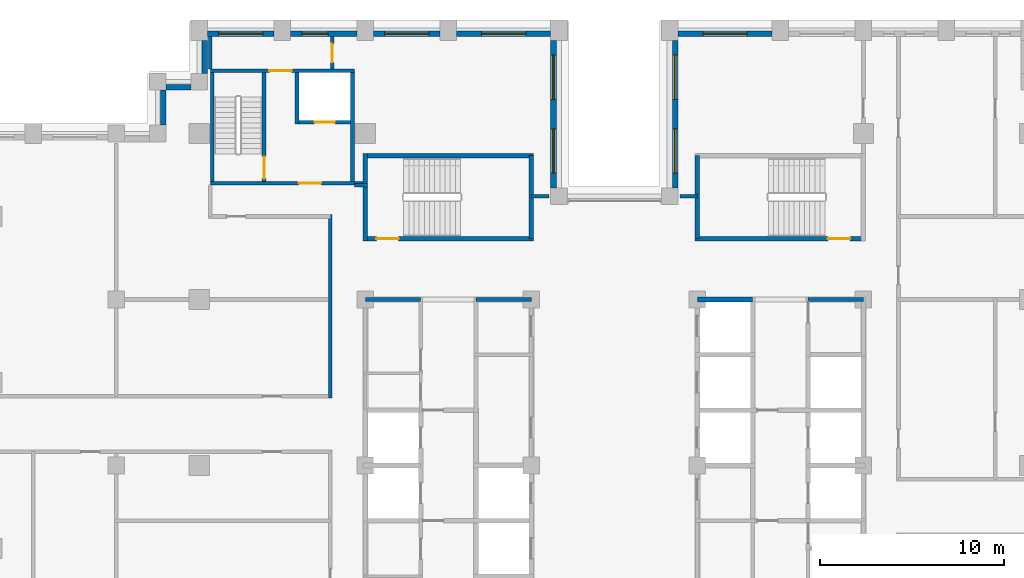
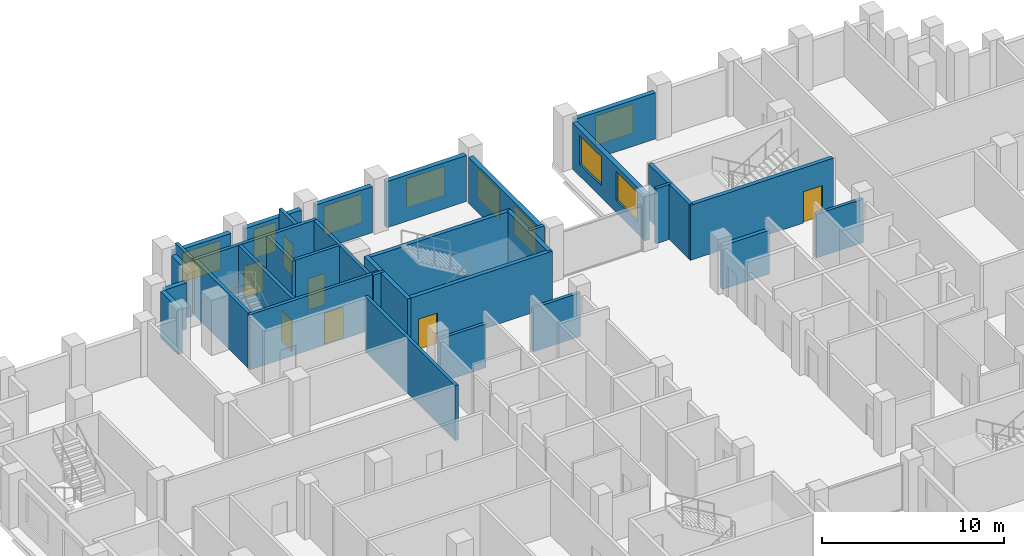
# One storey, part 10 of 15: 33 walls, 9 windows, 7 doors, 16 openings.
"""IFC4 building model written with IfcOpenShell, lengths in metres."""

import ifcopenshell
import ifcopenshell.guid

model = None  # the IFC model being written
_history = None  # IfcOwnerHistory: only IFC2X3 demands one
_inside = {}  # id of a spatial element -> (the spatial element, [elements in it])
_under = {}  # id of a project, library or spatial element -> (it, [spatial elements below it])
_declared = {}  # id of a project -> (the project, [libraries it declares])
_typed = {}  # id of a type object -> (the type object, [elements of that type])
_made_of = {}  # id of a material, layer set ... -> (it, [elements and type objects made of it])


def new_model(schema):
    """Start an empty IFC model of exactly this schema.

    Asked for "IFC4X3", IfcOpenShell would pick the latest addendum, in which some entities
    have other attributes; the version numbers below select the first issue.
    IFC2X3 requires an IfcOwnerHistory on every rooted entity: one is made here for all.
    """
    global model, _history
    if schema == "IFC4X3":
        model = ifcopenshell.file(schema_version=(4, 3, 0, 0))
    else:
        model = ifcopenshell.file(schema=schema)
    _inside.clear()
    _under.clear()
    _declared.clear()
    _typed.clear()
    _made_of.clear()
    _history = None
    if model.schema == "IFC2X3":
        org = make("IfcOrganization", Name="unknown")
        user = make(
            "IfcPersonAndOrganization",
            ThePerson=make("IfcPerson", FamilyName="unknown"),
            TheOrganization=org,
        )
        app = make(
            "IfcApplication",
            ApplicationDeveloper=org,
            Version="unknown",
            ApplicationFullName="unknown",
            ApplicationIdentifier="unknown",
        )
        _history = make(
            "IfcOwnerHistory",
            OwningUser=user,
            OwningApplication=app,
            ChangeAction="ADDED",
            CreationDate=0,
        )
    return model


def make(cls, **values):
    """One entity of the class cls with the attributes given. An attribute that is None is left unset."""
    return model.create_entity(
        cls, **{name: value for name, value in values.items() if value is not None}
    )


def rooted(cls, **values):
    """An entity with a GlobalId (a new one), such as an element, a storey or a relation."""
    return make(cls, GlobalId=ifcopenshell.guid.new(), OwnerHistory=_history, **values)


def si_unit(unit_type, name, prefix=None):
    """IfcSIUnit, for example si_unit("LENGTHUNIT", "METRE", prefix="MILLI")."""
    return make("IfcSIUnit", UnitType=unit_type, Prefix=prefix, Name=name)


def assignment(units):
    """IfcUnitAssignment: the units of a project."""
    return None if units is None else make("IfcUnitAssignment", Units=units)


def point(xyz):
    """IfcCartesianPoint."""
    return None if xyz is None else make("IfcCartesianPoint", Coordinates=xyz)


def direction(xyz):
    """IfcDirection."""
    return None if xyz is None else make("IfcDirection", DirectionRatios=xyz)


def frame(location, z_axis=None, x_axis=None):
    """IfcAxis2Placement3D, a coordinate frame: its origin and axes. An axis left out is left unset."""
    return make(
        "IfcAxis2Placement3D",
        Location=point(location),
        Axis=direction(z_axis),
        RefDirection=direction(x_axis),
    )


def frame_2d(location, x_axis=None):
    """IfcAxis2Placement2D, a coordinate frame in the plane: its origin and x axis."""
    return make(
        "IfcAxis2Placement2D", Location=point(location), RefDirection=direction(x_axis)
    )


def origin():
    """The frame at (0, 0, 0) with its axes left unset."""
    return frame((0.0, 0.0, 0.0))


def place(relative_to, where):
    """IfcLocalPlacement: puts the frame where relative to a parent placement (None: the world)."""
    return make(
        "IfcLocalPlacement", PlacementRelTo=relative_to, RelativePlacement=where
    )


def context(
    kind, dimensions, precision=None, world=None, true_north=None, identifier=None
):
    """IfcGeometricRepresentationContext, for example the 3D "Model" context."""
    return make(
        "IfcGeometricRepresentationContext",
        ContextIdentifier=identifier,
        ContextType=kind,
        CoordinateSpaceDimension=dimensions,
        Precision=precision,
        WorldCoordinateSystem=world,
        TrueNorth=true_north,
    )


def subcontext(parent, identifier, kind, view, scale=None):
    """IfcGeometricRepresentationSubContext, for example "Body" below "Model"."""
    return make(
        "IfcGeometricRepresentationSubContext",
        ContextIdentifier=identifier,
        ContextType=kind,
        ParentContext=parent,
        TargetScale=scale,
        TargetView=view,
    )


def project(units=None, contexts=None):
    """IfcProject with its units and contexts."""
    return rooted(
        "IfcProject",
        Name="project",
        RepresentationContexts=contexts,
        UnitsInContext=assignment(units),
    )


def spatial(cls, under=None, at=None, **own):
    """A site, building, storey or space (cls), placed at a placement, below another one or the project."""
    s = rooted(cls, ObjectPlacement=at, **own)
    if under is not None:
        _under.setdefault(under.id(), (under, []))[1].append(s)
    return s


def profile(cls, at=None, kind="AREA", **sizes):
    """A parametric profile (cls). Its sizes go by their IFC names, for example OverallWidth=200.0."""
    return make(cls, ProfileType=kind, Position=at, **sizes)


def rectangle(**sizes):
    """IfcRectangleProfileDef."""
    return profile("IfcRectangleProfileDef", **sizes)


def extrude(swept, where, along, depth):
    """IfcExtrudedAreaSolid: the profile swept, set in the frame where, extruded along a direction by depth."""
    return make(
        "IfcExtrudedAreaSolid",
        SweptArea=swept,
        Position=where,
        ExtrudedDirection=direction(along),
        Depth=depth,
    )


def shape(context_of_items, identifier, shape_type, items):
    """IfcShapeRepresentation: the items that make up one representation, for example the "Body"."""
    return make(
        "IfcShapeRepresentation",
        ContextOfItems=context_of_items,
        RepresentationIdentifier=identifier,
        RepresentationType=shape_type,
        Items=items,
    )


def material(Name=None, Category=None):
    """IfcMaterial."""
    return make("IfcMaterial", Name=Name, Category=Category)


def layer(
    of_material, thickness, ventilated=None, Name=None, Category=None, Priority=None
):
    """IfcMaterialLayer: one layer of a wall or slab, of a material (None: an air gap)."""
    return make(
        "IfcMaterialLayer",
        Material=of_material,
        LayerThickness=thickness,
        IsVentilated=ventilated,
        Name=Name,
        Category=Category,
        Priority=Priority,
    )


def layer_set(layers, Name=None):
    """IfcMaterialLayerSet."""
    return make("IfcMaterialLayerSet", MaterialLayers=layers, LayerSetName=Name)


def made_of(thing, what):
    """Note that an element or type object is made of a material, layer set ...; save() writes the relation."""
    if what is not None:
        _made_of.setdefault(what.id(), (what, []))[1].append(thing)
    return thing


def type_object(cls, material=None, **own):
    """A type object (cls), such as IfcWallType, which elements share."""
    return made_of(rooted(cls, **own), material)


def element(
    cls,
    number,
    at=None,
    inside=None,
    cuts=None,
    type_object=None,
    material=None,
    context=None,
    identifier="Body",
    shape_type=None,
    held_by="IfcProductDefinitionShape",
    body=None,
    shapes=None,
    **own,
):
    """One element of the class cls, such as IfcWall. Its Tag is "e" and its number.

    at: its placement. inside: the storey or other place that contains it. cuts: it is an
    opening in that element (IfcRelVoidsElement). A single representation is given by context,
    identifier, shape_type and body (its items); several are given by shapes. held_by: the class
    of the entity that holds the representations. save() writes the other relations.
    """
    e = rooted(cls, Tag="e%d" % number, ObjectPlacement=at, **own)
    if body is not None:
        shapes = [shape(context, identifier, shape_type, body)]
    if shapes is not None:
        e.Representation = make(held_by, Representations=shapes)
    if inside is not None:
        _inside.setdefault(inside.id(), (inside, []))[1].append(e)
    if cuts is not None:
        rooted(
            "IfcRelVoidsElement", RelatingBuildingElement=cuts, RelatedOpeningElement=e
        )
    if type_object is not None:
        _typed.setdefault(type_object.id(), (type_object, []))[1].append(e)
    return made_of(e, material)


def fill(opening, filler):
    """IfcRelFillsElement: the door or window that sits in an opening."""
    return rooted(
        "IfcRelFillsElement",
        RelatingOpeningElement=opening,
        RelatedBuildingElement=filler,
    )


def aggregate(whole, parts):
    """IfcRelAggregates: a whole, such as a stair, and the parts it consists of."""
    return rooted("IfcRelAggregates", RelatingObject=whole, RelatedObjects=parts)


def save(model, path):
    """Write the relations noted so far, then the file.

    IfcRelAggregates (storeys below a building ...), IfcRelContainedInSpatialStructure (elements
    in a storey), IfcRelDefinesByType, IfcRelAssociatesMaterial and IfcRelDeclares: one each for
    every whole, place, type object, material and project.
    """
    for whole, parts in _under.values():
        aggregate(whole, parts)
    for where, things in _inside.values():
        rooted(
            "IfcRelContainedInSpatialStructure",
            RelatedElements=things,
            RelatingStructure=where,
        )
    for kind, things in _typed.values():
        rooted("IfcRelDefinesByType", RelatedObjects=things, RelatingType=kind)
    for what, things in _made_of.values():
        rooted("IfcRelAssociatesMaterial", RelatedObjects=things, RelatingMaterial=what)
    for by, libraries in _declared.values():
        rooted("IfcRelDeclares", RelatingContext=by, RelatedDefinitions=libraries)
    model.write(path)


model = new_model("IFC4")

# Units and contexts
model_context = context("Model", 3, precision=1e-05, world=origin(), true_north=direction((0.0, 1.0)))
body_context = subcontext(model_context, "Body", "Model", "MODEL_VIEW")
ifc_project = project(units=[si_unit("LENGTHUNIT", "METRE"), si_unit("AREAUNIT", "SQUARE_METRE"), si_unit("VOLUMEUNIT", "CUBIC_METRE"), si_unit("PLANEANGLEUNIT", "RADIAN"), si_unit("MASSUNIT", "GRAM", prefix="KILO")], contexts=[model_context])

# Site, building, storey
site_placement = place(None, origin())
site = spatial("IfcSite", under=ifc_project, at=site_placement, CompositionType="ELEMENT")
building_placement = place(site_placement, origin())
building = spatial("IfcBuilding", under=site, at=building_placement, Name="Corbelhall Arena Tower", CompositionType="ELEMENT")
storey_placement = place(building_placement, frame((0.0, 0.0, 134.0)))
storey = spatial("IfcBuildingStorey", under=building, at=storey_placement, Name="L25", CompositionType="ELEMENT", Elevation=134.0)

# Walls
ifc_material_1 = material(Name="Precast concrete C40/50 with granite facing", Category="masonry")
ifc_layer_1 = layer(ifc_material_1, 0.300048828125)
ifc_layer_set_1 = layer_set([ifc_layer_1], Name="EV-IW1 Infill panel 300")
wall_type_1 = type_object("IfcWallType", Name="EV-IW1 Infill panel 300", PredefinedType="SOLIDWALL", material=ifc_layer_set_1)
wall_1_placement = place(storey_placement, frame((-22.199951171875, 23.050048828125, 0.0), z_axis=(0.0, 0.0, 1.0), x_axis=(0.0, -1.0, 0.0)))
element("IfcWall", 1, at=wall_1_placement, inside=storey, type_object=wall_type_1, Name="Infill panel IW1", PredefinedType="SOLIDWALL", context=body_context, shape_type="SweptSolid", body=[
    extrude(rectangle(XDim=1.800048828125, YDim=0.300048828125, at=frame_2d((0.89990234375, 0.0))), origin(), (0.0, 0.0, 1.0), 3.10009765625),
])
wall_2_placement = place(storey_placement, frame((-22.949951171875, 20.5, 0.0), z_axis=(0.0, 0.0, 1.0), x_axis=(-1.0, 0.0, 0.0)))
element("IfcWall", 2, at=wall_2_placement, inside=storey, type_object=wall_type_1, Name="Infill panel IW1", PredefinedType="SOLIDWALL", context=body_context, shape_type="SweptSolid", body=[
    extrude(rectangle(XDim=1.35009765625, YDim=0.300048828125, at=frame_2d((0.675048828125, 0.0))), origin(), (0.0, 0.0, 1.0), 3.10009765625),
])
wall_3_placement = place(storey_placement, frame((-24.449951171875, 20.35009765625, 0.0), z_axis=(0.0, 0.0, 1.0), x_axis=(0.0, -1.0, 0.0)))
element("IfcWall", 3, at=wall_3_placement, inside=storey, type_object=wall_type_1, Name="Infill panel IW1", PredefinedType="SOLIDWALL", context=body_context, shape_type="SweptSolid", body=[
    extrude(rectangle(XDim=1.900146484375, YDim=0.300048828125, at=frame_2d((0.9501953125, 0.0))), origin(), (0.0, 0.0, 1.0), 3.10009765625),
])

# Wall, opening, window
wall_4_placement = place(storey_placement, frame((8.550048828125, 23.39990234375, 0.0), z_axis=(0.0, 0.0, 1.0), x_axis=(-1.0, 0.0, 0.0)))
wall_4 = element("IfcWall", 4, at=wall_4_placement, inside=storey, type_object=wall_type_1, Name="Infill panel IW1", PredefinedType="SOLIDWALL", context=body_context, shape_type="SweptSolid", body=[
    extrude(rectangle(XDim=5.10009765625, YDim=0.300048828125, at=frame_2d((2.550048828125, 0.0))), origin(), (0.0, 0.0, 1.0), 3.10009765625),
])
opening_1_placement = place(wall_4_placement, frame((1.35009765625, 0.0, 0.800048828125)))
opening_1 = element("IfcOpeningElement", 5, at=opening_1_placement, cuts=wall_4, Name="Opening WN1", PredefinedType="OPENING", context=body_context, shape_type="SweptSolid", body=[
    extrude(rectangle(XDim=2.39990234375, YDim=1.949951171875, at=frame_2d((1.199951171875, 0.97509765625))), frame((0.0, 0.14990234375, 0.0), z_axis=(0.0, -1.0, 0.0), x_axis=(1.0, 0.0, 0.0)), (0.0, 0.0, 1.0), 0.300048828125),
])
ifc_material_2 = material(Name="Aluminium black anodised", Category="aluminium")
window_type_1 = type_object("IfcWindowType", Name="EV-WN1 Office window", PartitioningType="SINGLE_PANEL", PredefinedType="WINDOW", material=ifc_material_2)
window_1_placement = place(opening_1_placement, origin())
window_1 = element("IfcWindow", 6, at=window_1_placement, inside=storey, type_object=window_type_1, Name="Window WN1", OverallHeight=1.949951171875, OverallWidth=2.39990234375, PartitioningType="SINGLE_PANEL", PredefinedType="WINDOW", context=body_context, shape_type="SweptSolid", body=[
    extrude(rectangle(XDim=2.39990234375, YDim=1.949951171875, at=frame_2d((1.199951171875, 0.97509765625))), frame((0.0, 0.030029296875, 0.0), z_axis=(0.0, -1.0, 0.0), x_axis=(1.0, 0.0, 0.0)), (0.0, 0.0, 1.0), 0.06005859375),
])
fill(opening_1, window_1)

# Wall, openings, windows
wall_5_placement = place(storey_placement, frame((3.300048828125, 23.050048828125, 0.0), z_axis=(0.0, 0.0, 1.0), x_axis=(0.0, -1.0, 0.0)))
wall_5 = element("IfcWall", 7, at=wall_5_placement, inside=storey, type_object=wall_type_1, Name="Infill panel IW1", PredefinedType="SOLIDWALL", context=body_context, shape_type="SweptSolid", body=[
    extrude(rectangle(XDim=8.0, YDim=0.300048828125, at=frame_2d((4.0, 0.0))), origin(), (0.0, 0.0, 1.0), 3.10009765625),
])
opening_2_placement = place(wall_5_placement, frame((0.800048828125, 0.0, 0.800048828125)))
opening_2 = element("IfcOpeningElement", 8, at=opening_2_placement, cuts=wall_5, Name="Opening WN1", PredefinedType="OPENING", context=body_context, shape_type="SweptSolid", body=[
    extrude(rectangle(XDim=2.39990234375, YDim=1.949951171875, at=frame_2d((1.199951171875, 0.97509765625))), frame((0.0, 0.14990234375, 0.0), z_axis=(0.0, -1.0, 0.0), x_axis=(1.0, 0.0, 0.0)), (0.0, 0.0, 1.0), 0.300048828125),
])
opening_3_placement = place(wall_5_placement, frame((4.800048828125, 0.0, 0.800048828125)))
opening_3 = element("IfcOpeningElement", 9, at=opening_3_placement, cuts=wall_5, Name="Opening WN1", PredefinedType="OPENING", context=body_context, shape_type="SweptSolid", body=[
    extrude(rectangle(XDim=2.39990234375, YDim=1.949951171875, at=frame_2d((1.199951171875, 0.97509765625))), frame((0.0, 0.14990234375, 0.0), z_axis=(0.0, -1.0, 0.0), x_axis=(1.0, 0.0, 0.0)), (0.0, 0.0, 1.0), 0.300048828125),
])
window_2_placement = place(opening_2_placement, origin())
window_2 = element("IfcWindow", 10, at=window_2_placement, inside=storey, type_object=window_type_1, Name="Window WN1", OverallHeight=1.949951171875, OverallWidth=2.39990234375, PartitioningType="SINGLE_PANEL", PredefinedType="WINDOW", context=body_context, shape_type="SweptSolid", body=[
    extrude(rectangle(XDim=2.39990234375, YDim=1.949951171875, at=frame_2d((1.199951171875, 0.97509765625))), frame((0.0, 0.030029296875, 0.0), z_axis=(0.0, -1.0, 0.0), x_axis=(1.0, 0.0, 0.0)), (0.0, 0.0, 1.0), 0.06005859375),
])
fill(opening_2, window_2)
window_3_placement = place(opening_3_placement, origin())
window_3 = element("IfcWindow", 11, at=window_3_placement, inside=storey, type_object=window_type_1, Name="Window WN1", OverallHeight=1.949951171875, OverallWidth=2.39990234375, PartitioningType="SINGLE_PANEL", PredefinedType="WINDOW", context=body_context, shape_type="SweptSolid", body=[
    extrude(rectangle(XDim=2.39990234375, YDim=1.949951171875, at=frame_2d((1.199951171875, 0.97509765625))), frame((0.0, 0.030029296875, 0.0), z_axis=(0.0, -1.0, 0.0), x_axis=(1.0, 0.0, 0.0)), (0.0, 0.0, 1.0), 0.06005859375),
])
fill(opening_3, window_3)

wall_6_placement = place(storey_placement, frame((-3.300048828125, 15.050048828125, 0.0), z_axis=(0.0, 0.0, 1.0), x_axis=(0.0, 1.0, 0.0)))
wall_6 = element("IfcWall", 12, at=wall_6_placement, inside=storey, type_object=wall_type_1, Name="Infill panel IW1", PredefinedType="SOLIDWALL", context=body_context, shape_type="SweptSolid", body=[
    extrude(rectangle(XDim=8.0, YDim=0.300048828125, at=frame_2d((4.0, 0.0))), origin(), (0.0, 0.0, 1.0), 3.10009765625),
])
opening_4_placement = place(wall_6_placement, frame((0.800048828125, 0.0, 0.800048828125)))
opening_4 = element("IfcOpeningElement", 13, at=opening_4_placement, cuts=wall_6, Name="Opening WN1", PredefinedType="OPENING", context=body_context, shape_type="SweptSolid", body=[
    extrude(rectangle(XDim=2.39990234375, YDim=1.949951171875, at=frame_2d((1.199951171875, 0.97509765625))), frame((0.0, 0.14990234375, 0.0), z_axis=(0.0, -1.0, 0.0), x_axis=(1.0, 0.0, 0.0)), (0.0, 0.0, 1.0), 0.300048828125),
])
opening_5_placement = place(wall_6_placement, frame((4.800048828125, 0.0, 0.800048828125)))
opening_5 = element("IfcOpeningElement", 14, at=opening_5_placement, cuts=wall_6, Name="Opening WN1", PredefinedType="OPENING", context=body_context, shape_type="SweptSolid", body=[
    extrude(rectangle(XDim=2.39990234375, YDim=1.949951171875, at=frame_2d((1.199951171875, 0.97509765625))), frame((0.0, 0.14990234375, 0.0), z_axis=(0.0, -1.0, 0.0), x_axis=(1.0, 0.0, 0.0)), (0.0, 0.0, 1.0), 0.300048828125),
])
window_4_placement = place(opening_4_placement, origin())
window_4 = element("IfcWindow", 15, at=window_4_placement, inside=storey, type_object=window_type_1, Name="Window WN1", OverallHeight=1.949951171875, OverallWidth=2.39990234375, PartitioningType="SINGLE_PANEL", PredefinedType="WINDOW", context=body_context, shape_type="SweptSolid", body=[
    extrude(rectangle(XDim=2.39990234375, YDim=1.949951171875, at=frame_2d((1.199951171875, 0.97509765625))), frame((0.0, 0.030029296875, 0.0), z_axis=(0.0, -1.0, 0.0), x_axis=(1.0, 0.0, 0.0)), (0.0, 0.0, 1.0), 0.06005859375),
])
fill(opening_4, window_4)
window_5_placement = place(opening_5_placement, origin())
window_5 = element("IfcWindow", 16, at=window_5_placement, inside=storey, type_object=window_type_1, Name="Window WN1", OverallHeight=1.949951171875, OverallWidth=2.39990234375, PartitioningType="SINGLE_PANEL", PredefinedType="WINDOW", context=body_context, shape_type="SweptSolid", body=[
    extrude(rectangle(XDim=2.39990234375, YDim=1.949951171875, at=frame_2d((1.199951171875, 0.97509765625))), frame((0.0, 0.030029296875, 0.0), z_axis=(0.0, -1.0, 0.0), x_axis=(1.0, 0.0, 0.0)), (0.0, 0.0, 1.0), 0.06005859375),
])
fill(opening_5, window_5)

# Wall, opening, window
wall_7_placement = place(storey_placement, frame((-3.449951171875, 23.39990234375, 0.0), z_axis=(0.0, 0.0, 1.0), x_axis=(-1.0, 0.0, 0.0)))
wall_7 = element("IfcWall", 17, at=wall_7_placement, inside=storey, type_object=wall_type_1, Name="Infill panel IW1", PredefinedType="SOLIDWALL", context=body_context, shape_type="SweptSolid", body=[
    extrude(rectangle(XDim=5.10009765625, YDim=0.300048828125, at=frame_2d((2.550048828125, 0.0))), origin(), (0.0, 0.0, 1.0), 3.10009765625),
])
opening_6_placement = place(wall_7_placement, frame((1.35009765625, 0.0, 0.800048828125)))
opening_6 = element("IfcOpeningElement", 18, at=opening_6_placement, cuts=wall_7, Name="Opening WN1", PredefinedType="OPENING", context=body_context, shape_type="SweptSolid", body=[
    extrude(rectangle(XDim=2.39990234375, YDim=1.949951171875, at=frame_2d((1.199951171875, 0.97509765625))), frame((0.0, 0.14990234375, 0.0), z_axis=(0.0, -1.0, 0.0), x_axis=(1.0, 0.0, 0.0)), (0.0, 0.0, 1.0), 0.300048828125),
])
window_6_placement = place(opening_6_placement, origin())
window_6 = element("IfcWindow", 19, at=window_6_placement, inside=storey, type_object=window_type_1, Name="Window WN1", OverallHeight=1.949951171875, OverallWidth=2.39990234375, PartitioningType="SINGLE_PANEL", PredefinedType="WINDOW", context=body_context, shape_type="SweptSolid", body=[
    extrude(rectangle(XDim=2.39990234375, YDim=1.949951171875, at=frame_2d((1.199951171875, 0.97509765625))), frame((0.0, 0.030029296875, 0.0), z_axis=(0.0, -1.0, 0.0), x_axis=(1.0, 0.0, 0.0)), (0.0, 0.0, 1.0), 0.06005859375),
])
fill(opening_6, window_6)

wall_8_placement = place(storey_placement, frame((-9.449951171875, 23.39990234375, 0.0), z_axis=(0.0, 0.0, 1.0), x_axis=(-1.0, 0.0, 0.0)))
wall_8 = element("IfcWall", 20, at=wall_8_placement, inside=storey, type_object=wall_type_1, Name="Infill panel IW1", PredefinedType="SOLIDWALL", context=body_context, shape_type="SweptSolid", body=[
    extrude(rectangle(XDim=3.60009765625, YDim=0.300048828125, at=frame_2d((1.800048828125, 0.0))), origin(), (0.0, 0.0, 1.0), 3.10009765625),
])
opening_7_placement = place(wall_8_placement, frame((0.60009765625, 0.0, 0.800048828125)))
opening_7 = element("IfcOpeningElement", 21, at=opening_7_placement, cuts=wall_8, Name="Opening WN1", PredefinedType="OPENING", context=body_context, shape_type="SweptSolid", body=[
    extrude(rectangle(XDim=2.39990234375, YDim=1.949951171875, at=frame_2d((1.199951171875, 0.97509765625))), frame((0.0, 0.14990234375, 0.0), z_axis=(0.0, -1.0, 0.0), x_axis=(1.0, 0.0, 0.0)), (0.0, 0.0, 1.0), 0.300048828125),
])
window_7_placement = place(opening_7_placement, origin())
window_7 = element("IfcWindow", 22, at=window_7_placement, inside=storey, type_object=window_type_1, Name="Window WN1", OverallHeight=1.949951171875, OverallWidth=2.39990234375, PartitioningType="SINGLE_PANEL", PredefinedType="WINDOW", context=body_context, shape_type="SweptSolid", body=[
    extrude(rectangle(XDim=2.39990234375, YDim=1.949951171875, at=frame_2d((1.199951171875, 0.97509765625))), frame((0.0, 0.030029296875, 0.0), z_axis=(0.0, -1.0, 0.0), x_axis=(1.0, 0.0, 0.0)), (0.0, 0.0, 1.0), 0.06005859375),
])
fill(opening_7, window_7)

wall_9_placement = place(storey_placement, frame((-13.949951171875, 23.39990234375, 0.0), z_axis=(0.0, 0.0, 1.0), x_axis=(-1.0, 0.0, 0.0)))
wall_9 = element("IfcWall", 23, at=wall_9_placement, inside=storey, type_object=wall_type_1, Name="Infill panel IW1", PredefinedType="SOLIDWALL", context=body_context, shape_type="SweptSolid", body=[
    extrude(rectangle(XDim=3.60009765625, YDim=0.300048828125, at=frame_2d((1.800048828125, 0.0))), origin(), (0.0, 0.0, 1.0), 3.10009765625),
])
opening_8_placement = place(wall_9_placement, frame((1.574951171875, 0.0, 0.800048828125)))
opening_8 = element("IfcOpeningElement", 24, at=opening_8_placement, cuts=wall_9, Name="Opening WN7", PredefinedType="OPENING", context=body_context, shape_type="SweptSolid", body=[
    extrude(rectangle(XDim=1.39990234375, YDim=1.949951171875, at=frame_2d((0.699951171875, 0.97509765625))), frame((0.0, 0.14990234375, 0.0), z_axis=(0.0, -1.0, 0.0), x_axis=(1.0, 0.0, 0.0)), (0.0, 0.0, 1.0), 0.300048828125),
])
window_type_2 = type_object("IfcWindowType", Name="EV-WN7 Office window 1400", PartitioningType="SINGLE_PANEL", PredefinedType="WINDOW", material=ifc_material_2)
window_8_placement = place(opening_8_placement, origin())
window_8 = element("IfcWindow", 25, at=window_8_placement, inside=storey, type_object=window_type_2, Name="Window WN7", OverallHeight=1.949951171875, OverallWidth=1.39990234375, PartitioningType="SINGLE_PANEL", PredefinedType="WINDOW", context=body_context, shape_type="SweptSolid", body=[
    extrude(rectangle(XDim=1.39990234375, YDim=1.949951171875, at=frame_2d((0.699951171875, 0.97509765625))), frame((0.0, 0.030029296875, 0.0), z_axis=(0.0, -1.0, 0.0), x_axis=(1.0, 0.0, 0.0)), (0.0, 0.0, 1.0), 0.06005859375),
])
fill(opening_8, window_8)

wall_10_placement = place(storey_placement, frame((-18.449951171875, 23.39990234375, 0.0), z_axis=(0.0, 0.0, 1.0), x_axis=(-1.0, 0.0, 0.0)))
wall_10 = element("IfcWall", 26, at=wall_10_placement, inside=storey, type_object=wall_type_1, Name="Infill panel IW1", PredefinedType="SOLIDWALL", context=body_context, shape_type="SweptSolid", body=[
    extrude(rectangle(XDim=3.60009765625, YDim=0.300048828125, at=frame_2d((1.800048828125, 0.0))), origin(), (0.0, 0.0, 1.0), 3.10009765625),
])
opening_9_placement = place(wall_10_placement, frame((0.60009765625, 0.0, 0.800048828125)))
opening_9 = element("IfcOpeningElement", 27, at=opening_9_placement, cuts=wall_10, Name="Opening WN1", PredefinedType="OPENING", context=body_context, shape_type="SweptSolid", body=[
    extrude(rectangle(XDim=2.39990234375, YDim=1.949951171875, at=frame_2d((1.199951171875, 0.97509765625))), frame((0.0, 0.14990234375, 0.0), z_axis=(0.0, -1.0, 0.0), x_axis=(1.0, 0.0, 0.0)), (0.0, 0.0, 1.0), 0.300048828125),
])
window_9_placement = place(opening_9_placement, origin())
window_9 = element("IfcWindow", 28, at=window_9_placement, inside=storey, type_object=window_type_1, Name="Window WN1", OverallHeight=1.949951171875, OverallWidth=2.39990234375, PartitioningType="SINGLE_PANEL", PredefinedType="WINDOW", context=body_context, shape_type="SweptSolid", body=[
    extrude(rectangle(XDim=2.39990234375, YDim=1.949951171875, at=frame_2d((1.199951171875, 0.97509765625))), frame((0.0, 0.030029296875, 0.0), z_axis=(0.0, -1.0, 0.0), x_axis=(1.0, 0.0, 0.0)), (0.0, 0.0, 1.0), 0.06005859375),
])
fill(opening_9, window_9)

# Walls
ifc_material_3 = material(Name="Gypsum board on steel stud, acoustic", Category="steel")
ifc_layer_2 = layer(ifc_material_3, 0.199951171875)
ifc_layer_set_2 = layer_set([ifc_layer_2], Name="IN-W-DM200")
wall_type_2 = type_object("IfcWallType", Name="IN-W-DM200", PredefinedType="PARTITIONING", material=ifc_layer_set_2)
wall_11_placement = place(storey_placement, frame((-21.89990234375, 21.5, 0.0), z_axis=(0.0, 0.0, 1.0), x_axis=(0.0, 1.0, 0.0)))
element("IfcWall", 29, at=wall_11_placement, inside=storey, type_object=wall_type_2, Name="Partition 014", PredefinedType="PARTITIONING", context=body_context, shape_type="SweptSolid", body=[
    extrude(rectangle(XDim=1.75, YDim=0.199951171875, at=frame_2d((0.875, 0.0))), origin(), (0.0, 0.0, 1.0), 3.699951171875),
])
wall_12_placement = place(storey_placement, frame((-15.39990234375, 3.64990234375, 0.0), z_axis=(0.0, 0.0, 1.0), x_axis=(0.0, 1.0, 0.0)))
element("IfcWall", 30, at=wall_12_placement, inside=storey, type_object=wall_type_2, Name="Partition 018", PredefinedType="PARTITIONING", context=body_context, shape_type="SweptSolid", body=[
    extrude(rectangle(XDim=9.9501953125, YDim=0.199951171875, at=frame_2d((4.97509765625, 0.0))), origin(), (0.0, 0.0, 1.0), 3.699951171875),
])

# Wall, opening, door
wall_13_placement = place(storey_placement, frame((-15.300048828125, 23.25, 0.0), z_axis=(0.0, 0.0, 1.0), x_axis=(0.0, -1.0, 0.0)))
wall_13 = element("IfcWall", 31, at=wall_13_placement, inside=storey, type_object=wall_type_2, Name="Partition 020", PredefinedType="PARTITIONING", context=body_context, shape_type="SweptSolid", body=[
    extrude(rectangle(XDim=1.75, YDim=0.199951171875, at=frame_2d((0.875, 0.0))), origin(), (0.0, 0.0, 1.0), 3.699951171875),
])
opening_10_placement = place(wall_13_placement, frame((0.39990234375, 0.0, 0.0)))
opening_10 = element("IfcOpeningElement", 32, at=opening_10_placement, cuts=wall_13, Name="Opening 06023", PredefinedType="OPENING", context=body_context, shape_type="SweptSolid", body=[
    extrude(rectangle(XDim=1.0, YDim=2.10009765625, at=frame_2d((0.5, 1.050048828125))), frame((0.0, 0.10009765625, 0.0), z_axis=(0.0, -1.0, 0.0), x_axis=(1.0, 0.0, 0.0)), (0.0, 0.0, 1.0), 0.199951171875),
])
ifc_material_4 = material(Name="Steel door set", Category="steel")
door_type_1 = type_object("IfcDoorType", Name="IN-D-SW100", OperationType="NOTDEFINED", PredefinedType="DOOR", material=ifc_material_4)
door_1_placement = place(opening_10_placement, origin())
door_1 = element("IfcDoor", 33, at=door_1_placement, inside=storey, type_object=door_type_1, Name="Door 023", OperationType="SINGLE_SWING_RIGHT", OverallHeight=2.10009765625, OverallWidth=1.0, PredefinedType="DOOR", context=body_context, shape_type="SweptSolid", body=[
    extrude(rectangle(XDim=1.0, YDim=2.10009765625, at=frame_2d((0.5, 1.050048828125))), frame((0.0, 0.02490234375, 0.0), z_axis=(0.0, -1.0, 0.0), x_axis=(1.0, 0.0, 0.0)), (0.0, 0.0, 1.0), 0.050048828125),
])
fill(opening_10, door_1)

# Walls
wall_14_placement = place(storey_placement, frame((-14.10009765625, 15.199951171875, 0.0), z_axis=(0.0, 0.0, 1.0), x_axis=(1.0, 0.0, 0.0)))
element("IfcWall", 34, at=wall_14_placement, inside=storey, type_object=wall_type_2, Name="Partition 021", PredefinedType="PARTITIONING", context=body_context, shape_type="SweptSolid", body=[
    extrude(rectangle(XDim=0.72509765625, YDim=0.199951171875, at=frame_2d((0.362548828125, 0.0))), origin(), (0.0, 0.0, 1.0), 3.699951171875),
])
for number, where, z_axis, x_axis, name in (
    (35, (-4.5, 14.60009765625, 0.0), (0.0, 0.0, 1.0), (1.0, 0.0, 0.0), "Partition 023"),
    (36, (3.550048828125, 14.60009765625, 0.0), (0.0, 0.0, 1.0), (1.0, 0.0, 0.0), "Partition 025"),
):
    element("IfcWall", number, at=place(storey_placement, frame(where, z_axis=z_axis, x_axis=x_axis)), inside=storey, type_object=wall_type_2, Name=name, PredefinedType="PARTITIONING", context=body_context, shape_type="SweptSolid", body=[
        extrude(rectangle(XDim=0.949951171875, YDim=0.199951171875, at=frame_2d((0.47509765625, 0.0))), origin(), (0.0, 0.0, 1.0), 3.699951171875),
    ])

# Wall, opening, door
ifc_material_5 = material(Name="Concrete C40/50", Category="concrete")
ifc_layer_3 = layer(ifc_material_5, 0.199951171875)
ifc_layer_set_3 = layer_set([ifc_layer_3], Name="IN-W-EAR200")
wall_type_3 = type_object("IfcWallType", Name="IN-W-EAR200", PredefinedType="SOLIDWALL", material=ifc_layer_set_3)
wall_15_placement = place(storey_placement, frame((-21.89990234375, 15.300048828125, 0.0), z_axis=(0.0, 0.0, 1.0), x_axis=(1.0, 0.0, 0.0)))
wall_15 = element("IfcWall", 37, at=wall_15_placement, inside=storey, type_object=wall_type_3, Name="Fire service turret wall south", PredefinedType="SOLIDWALL", context=body_context, shape_type="SweptSolid", body=[
    extrude(rectangle(XDim=8.27490234375, YDim=0.199951171875, at=frame_2d((4.137451171875, 0.0))), origin(), (0.0, 0.0, 1.0), 3.699951171875),
])
opening_11_placement = place(wall_15_placement, frame((4.800048828125, 0.0, 0.0)))
opening_11 = element("IfcOpeningElement", 38, at=opening_11_placement, cuts=wall_15, Name="Opening E062", PredefinedType="OPENING", context=body_context, shape_type="SweptSolid", body=[
    extrude(rectangle(XDim=1.199951171875, YDim=2.10009765625, at=frame_2d((0.60009765625, 1.050048828125))), frame((0.0, 0.10009765625, 0.0), z_axis=(0.0, -1.0, 0.0), x_axis=(1.0, 0.0, 0.0)), (0.0, 0.0, 1.0), 0.199951171875),
])
door_type_2 = type_object("IfcDoorType", Name="IN-D-ST120", OperationType="NOTDEFINED", PredefinedType="DOOR", material=ifc_material_4)
door_2_placement = place(opening_11_placement, origin())
door_2 = element("IfcDoor", 39, at=door_2_placement, inside=storey, type_object=door_type_2, Name="Door from fire service lift lobby to circulation", OperationType="SINGLE_SWING_RIGHT", OverallHeight=2.10009765625, OverallWidth=1.199951171875, PredefinedType="DOOR", context=body_context, shape_type="SweptSolid", body=[
    extrude(rectangle(XDim=1.199951171875, YDim=2.10009765625, at=frame_2d((0.60009765625, 1.050048828125))), frame((0.0, 0.02490234375, 0.0), z_axis=(0.0, -1.0, 0.0), x_axis=(1.0, 0.0, 0.0)), (0.0, 0.0, 1.0), 0.050048828125),
])
fill(opening_11, door_2)

wall_16_placement = place(storey_placement, frame((-21.89990234375, 21.39990234375, 0.0), z_axis=(0.0, 0.0, 1.0), x_axis=(1.0, 0.0, 0.0)))
wall_16 = element("IfcWall", 40, at=wall_16_placement, inside=storey, type_object=wall_type_3, Name="Fire service turret wall north", PredefinedType="SOLIDWALL", context=body_context, shape_type="SweptSolid", body=[
    extrude(rectangle(XDim=7.7998046875, YDim=0.199951171875, at=frame_2d((3.89990234375, 0.0))), origin(), (0.0, 0.0, 1.0), 3.699951171875),
])
opening_12_placement = place(wall_16_placement, frame((3.199951171875, 0.0, 0.0)))
opening_12 = element("IfcOpeningElement", 41, at=opening_12_placement, cuts=wall_16, Name="Opening E063", PredefinedType="OPENING", context=body_context, shape_type="SweptSolid", body=[
    extrude(rectangle(XDim=1.199951171875, YDim=2.10009765625, at=frame_2d((0.60009765625, 1.050048828125))), frame((0.0, 0.10009765625, 0.0), z_axis=(0.0, -1.0, 0.0), x_axis=(1.0, 0.0, 0.0)), (0.0, 0.0, 1.0), 0.199951171875),
])
door_3_placement = place(opening_12_placement, origin())
door_3 = element("IfcDoor", 42, at=door_3_placement, inside=storey, type_object=door_type_2, Name="Door from fire service lift lobby to the north gallery", OperationType="SINGLE_SWING_LEFT", OverallHeight=2.10009765625, OverallWidth=1.199951171875, PredefinedType="DOOR", context=body_context, shape_type="SweptSolid", body=[
    extrude(rectangle(XDim=1.199951171875, YDim=2.10009765625, at=frame_2d((0.60009765625, 1.050048828125))), frame((0.0, 0.02490234375, 0.0), z_axis=(0.0, -1.0, 0.0), x_axis=(1.0, 0.0, 0.0)), (0.0, 0.0, 1.0), 0.050048828125),
])
fill(opening_12, door_3)

# Walls
for number, where, z_axis, x_axis, name in (
    (43, (-21.800048828125, 15.39990234375, 0.0), (0.0, 0.0, 1.0), (0.0, 1.0, 0.0), "Fire service turret wall west"),
    (44, (-14.199951171875, 15.39990234375, 0.0), (0.0, 0.0, 1.0), (0.0, 1.0, 0.0), "Fire service turret wall east"),
):
    element("IfcWall", number, at=place(storey_placement, frame(where, z_axis=z_axis, x_axis=x_axis)), inside=storey, type_object=wall_type_3, Name=name, PredefinedType="SOLIDWALL", context=body_context, shape_type="SweptSolid", body=[
        extrude(rectangle(XDim=5.900146484375, YDim=0.199951171875, at=frame_2d((2.9501953125, 0.0))), origin(), (0.0, 0.0, 1.0), 3.699951171875),
    ])

# Wall, opening, door
wall_17_placement = place(storey_placement, frame((-18.989990234375, 15.39990234375, 0.0), z_axis=(0.0, 0.0, 1.0), x_axis=(0.0, 1.0, 0.0)))
wall_17 = element("IfcWall", 45, at=wall_17_placement, inside=storey, type_object=wall_type_3, Name="Fire service turret wall stair", PredefinedType="SOLIDWALL", context=body_context, shape_type="SweptSolid", body=[
    extrude(rectangle(XDim=5.900146484375, YDim=0.199951171875, at=frame_2d((2.9501953125, 0.0))), origin(), (0.0, 0.0, 1.0), 3.699951171875),
])
opening_13_placement = place(wall_17_placement, frame((0.14990234375, 0.0, 0.0)))
opening_13 = element("IfcOpeningElement", 46, at=opening_13_placement, cuts=wall_17, Name="Opening E061", PredefinedType="OPENING", context=body_context, shape_type="SweptSolid", body=[
    extrude(rectangle(XDim=1.199951171875, YDim=2.10009765625, at=frame_2d((0.60009765625, 1.050048828125))), frame((0.0, 0.10009765625, 0.0), z_axis=(0.0, -1.0, 0.0), x_axis=(1.0, 0.0, 0.0)), (0.0, 0.0, 1.0), 0.199951171875),
])
door_4_placement = place(opening_13_placement, origin())
door_4 = element("IfcDoor", 47, at=door_4_placement, inside=storey, type_object=door_type_2, Name="Stair door to fire service lobby", OperationType="SINGLE_SWING_LEFT", OverallHeight=2.10009765625, OverallWidth=1.199951171875, PredefinedType="DOOR", context=body_context, shape_type="SweptSolid", body=[
    extrude(rectangle(XDim=1.199951171875, YDim=2.10009765625, at=frame_2d((0.60009765625, 1.050048828125))), frame((0.0, 0.02490234375, 0.0), z_axis=(0.0, -1.0, 0.0), x_axis=(1.0, 0.0, 0.0)), (0.0, 0.0, 1.0), 0.050048828125),
])
fill(opening_13, door_4)

# Wall
wall_18_placement = place(storey_placement, frame((-17.199951171875, 18.5, 0.0), z_axis=(0.0, 0.0, 1.0), x_axis=(0.0, 1.0, 0.0)))
element("IfcWall", 48, at=wall_18_placement, inside=storey, type_object=wall_type_3, Name="Fire service turret wall hoistway west", PredefinedType="SOLIDWALL", context=body_context, shape_type="SweptSolid", body=[
    extrude(rectangle(XDim=2.800048828125, YDim=0.199951171875, at=frame_2d((1.39990234375, 0.0))), origin(), (0.0, 0.0, 1.0), 3.699951171875),
])

# Wall, opening, door
wall_19_placement = place(storey_placement, frame((-17.10009765625, 18.60009765625, 0.0), z_axis=(0.0, 0.0, 1.0), x_axis=(1.0, 0.0, 0.0)))
wall_19 = element("IfcWall", 49, at=wall_19_placement, inside=storey, type_object=wall_type_3, Name="Fire service turret wall hoistway south", PredefinedType="SOLIDWALL", context=body_context, shape_type="SweptSolid", body=[
    extrude(rectangle(XDim=2.800048828125, YDim=0.199951171875, at=frame_2d((1.39990234375, 0.0))), origin(), (0.0, 0.0, 1.0), 3.699951171875),
])
opening_14_placement = place(wall_19_placement, frame((0.85009765625, 0.0, 0.0)))
opening_14 = element("IfcOpeningElement", 50, at=opening_14_placement, cuts=wall_19, Name="Opening LD", PredefinedType="OPENING", context=body_context, shape_type="SweptSolid", body=[
    extrude(rectangle(XDim=1.10009765625, YDim=2.10009765625, at=frame_2d((0.550048828125, 1.050048828125))), frame((0.0, 0.10009765625, 0.0), z_axis=(0.0, -1.0, 0.0), x_axis=(1.0, 0.0, 0.0)), (0.0, 0.0, 1.0), 0.199951171875),
])
door_type_3 = type_object("IfcDoorType", Name="IN-D-LD110", OperationType="NOTDEFINED", PredefinedType="DOOR", material=ifc_material_4)
door_5_placement = place(opening_14_placement, origin())
door_5 = element("IfcDoor", 51, at=door_5_placement, inside=storey, type_object=door_type_3, Name="Landing door FS1", OperationType="SLIDING_TO_LEFT", OverallHeight=2.10009765625, OverallWidth=1.10009765625, PredefinedType="DOOR", context=body_context, shape_type="SweptSolid", body=[
    extrude(rectangle(XDim=1.10009765625, YDim=2.10009765625, at=frame_2d((0.550048828125, 1.050048828125))), frame((0.0, 0.02490234375, 0.0), z_axis=(0.0, -1.0, 0.0), x_axis=(1.0, 0.0, 0.0)), (0.0, 0.0, 1.0), 0.050048828125),
])
fill(opening_14, door_5)

# Walls
ifc_material_6 = material(Name="Concrete block wall", Category="concrete")
ifc_layer_4 = layer(ifc_material_6, 0.199951171875)
ifc_layer_set_4 = layer_set([ifc_layer_4], Name="IN-W-RS200 under beam 762 mm")
wall_type_4 = type_object("IfcWallType", Name="IN-W-RS200 under beam 762 mm", PredefinedType="SOLIDWALL", material=ifc_layer_set_4)
for number, where, z_axis, x_axis, name in (
    (52, (-13.5, 9.0, 0.0), (0.0, 0.0, 1.0), (1.0, 0.0, 0.0), "Partition 049"),
    (53, (-7.5, 9.0, 0.0), (0.0, 0.0, 1.0), (1.0, 0.0, 0.0), "Partition 054"),
    (54, (10.5, 9.0, 0.0), (0.0, 0.0, 1.0), (1.0, 0.0, 0.0), "Partition 061"),
):
    element("IfcWall", number, at=place(storey_placement, frame(where, z_axis=z_axis, x_axis=x_axis)), inside=storey, type_object=wall_type_4, Name=name, PredefinedType="SOLIDWALL", context=body_context, shape_type="SweptSolid", body=[
        extrude(rectangle(XDim=3.0, YDim=0.199951171875, at=frame_2d((1.5, 0.0))), origin(), (0.0, 0.0, 1.0), 2.93798828125),
    ])
ifc_layer_5 = layer(ifc_material_5, 0.25)
ifc_layer_set_5 = layer_set([ifc_layer_5], Name="IN-W-SH250 under beam 762 mm")
wall_type_5 = type_object("IfcWallType", Name="IN-W-SH250 under beam 762 mm", PredefinedType="SOLIDWALL", material=ifc_layer_set_5)
wall_20_placement = place(storey_placement, frame((4.5, 9.0, 0.0), z_axis=(0.0, 0.0, 1.0), x_axis=(1.0, 0.0, 0.0)))
element("IfcWall", 55, at=wall_20_placement, inside=storey, type_object=wall_type_5, Name="Shaft wall 079", PredefinedType="SOLIDWALL", context=body_context, shape_type="SweptSolid", body=[
    extrude(rectangle(XDim=3.0, YDim=0.25, at=frame_2d((1.5, 0.0))), origin(), (0.0, 0.0, 1.0), 2.93798828125),
])

# Wall, opening, door
ifc_layer_6 = layer(ifc_material_5, 0.25)
ifc_layer_set_6 = layer_set([ifc_layer_6], Name="IN-W-ST250")
wall_type_6 = type_object("IfcWallType", Name="IN-W-ST250", PredefinedType="SOLIDWALL", material=ifc_layer_set_6)
wall_21_placement = place(storey_placement, frame((-13.5, 12.300048828125, 0.0), z_axis=(0.0, 0.0, 1.0), x_axis=(1.0, 0.0, 0.0)))
wall_21 = element("IfcWall", 56, at=wall_21_placement, inside=storey, type_object=wall_type_6, Name="Shaft wall 093", PredefinedType="SOLIDWALL", context=body_context, shape_type="SweptSolid", body=[
    extrude(rectangle(XDim=9.125, YDim=0.25, at=frame_2d((4.5625, 0.0))), origin(), (0.0, 0.0, 1.0), 3.699951171875),
])
opening_15_placement = place(wall_21_placement, frame((0.60009765625, 0.0, 0.0)))
opening_15 = element("IfcOpeningElement", 57, at=opening_15_placement, cuts=wall_21, Name="Opening 06015", PredefinedType="OPENING", context=body_context, shape_type="SweptSolid", body=[
    extrude(rectangle(XDim=1.199951171875, YDim=2.10009765625, at=frame_2d((0.60009765625, 1.050048828125))), frame((0.0, 0.125, 0.0), z_axis=(0.0, -1.0, 0.0), x_axis=(1.0, 0.0, 0.0)), (0.0, 0.0, 1.0), 0.25),
])
door_6_placement = place(opening_15_placement, origin())
door_6 = element("IfcDoor", 58, at=door_6_placement, inside=storey, type_object=door_type_2, Name="Door 015", OperationType="SINGLE_SWING_RIGHT", OverallHeight=2.10009765625, OverallWidth=1.199951171875, PredefinedType="DOOR", context=body_context, shape_type="SweptSolid", body=[
    extrude(rectangle(XDim=1.199951171875, YDim=2.10009765625, at=frame_2d((0.60009765625, 1.050048828125))), frame((0.0, 0.02490234375, 0.0), z_axis=(0.0, -1.0, 0.0), x_axis=(1.0, 0.0, 0.0)), (0.0, 0.0, 1.0), 0.050048828125),
])
fill(opening_15, door_6)

# Walls
wall_22_placement = place(storey_placement, frame((-13.5, 12.175048828125, 0.0), z_axis=(0.0, 0.0, 1.0), x_axis=(0.0, 1.0, 0.0)))
element("IfcWall", 59, at=wall_22_placement, inside=storey, type_object=wall_type_6, Name="Shaft wall 094", PredefinedType="SOLIDWALL", context=body_context, shape_type="SweptSolid", body=[
    extrude(rectangle(XDim=4.75, YDim=0.25, at=frame_2d((2.375, 0.0))), origin(), (0.0, 0.0, 1.0), 3.699951171875),
])
wall_23_placement = place(storey_placement, frame((-13.5, 16.800048828125, 0.0), z_axis=(0.0, 0.0, 1.0), x_axis=(1.0, 0.0, 0.0)))
element("IfcWall", 60, at=wall_23_placement, inside=storey, type_object=wall_type_6, Name="Shaft wall 095", PredefinedType="SOLIDWALL", context=body_context, shape_type="SweptSolid", body=[
    extrude(rectangle(XDim=9.125, YDim=0.25, at=frame_2d((4.5625, 0.0))), origin(), (0.0, 0.0, 1.0), 3.699951171875),
])
wall_24_placement = place(storey_placement, frame((-4.5, 16.800048828125, 0.0), z_axis=(0.0, 0.0, 1.0), x_axis=(0.0, -1.0, 0.0)))
element("IfcWall", 61, at=wall_24_placement, inside=storey, type_object=wall_type_6, Name="Shaft wall 098", PredefinedType="SOLIDWALL", context=body_context, shape_type="SweptSolid", body=[
    extrude(rectangle(XDim=4.5, YDim=0.25, at=frame_2d((2.25, 0.0))), origin(), (0.0, 0.0, 1.0), 3.699951171875),
])

# Wall, opening, door
wall_25_placement = place(storey_placement, frame((4.375, 12.300048828125, 0.0), z_axis=(0.0, 0.0, 1.0), x_axis=(1.0, 0.0, 0.0)))
wall_25 = element("IfcWall", 62, at=wall_25_placement, inside=storey, type_object=wall_type_6, Name="Shaft wall 100", PredefinedType="SOLIDWALL", context=body_context, shape_type="SweptSolid", body=[
    extrude(rectangle(XDim=9.125, YDim=0.25, at=frame_2d((4.5625, 0.0))), origin(), (0.0, 0.0, 1.0), 3.699951171875),
])
opening_16_placement = place(wall_25_placement, frame((7.199951171875, 0.0, 0.0)))
opening_16 = element("IfcOpeningElement", 63, at=opening_16_placement, cuts=wall_25, Name="Opening 06017", PredefinedType="OPENING", context=body_context, shape_type="SweptSolid", body=[
    extrude(rectangle(XDim=1.199951171875, YDim=2.10009765625, at=frame_2d((0.60009765625, 1.050048828125))), frame((0.0, 0.125, 0.0), z_axis=(0.0, -1.0, 0.0), x_axis=(1.0, 0.0, 0.0)), (0.0, 0.0, 1.0), 0.25),
])
door_7_placement = place(opening_16_placement, origin())
door_7 = element("IfcDoor", 64, at=door_7_placement, inside=storey, type_object=door_type_2, Name="Door 017", OperationType="SINGLE_SWING_RIGHT", OverallHeight=2.10009765625, OverallWidth=1.199951171875, PredefinedType="DOOR", context=body_context, shape_type="SweptSolid", body=[
    extrude(rectangle(XDim=1.199951171875, YDim=2.10009765625, at=frame_2d((0.60009765625, 1.050048828125))), frame((0.0, 0.02490234375, 0.0), z_axis=(0.0, -1.0, 0.0), x_axis=(1.0, 0.0, 0.0)), (0.0, 0.0, 1.0), 0.050048828125),
])
fill(opening_16, door_7)

# Wall
wall_26_placement = place(storey_placement, frame((4.5, 12.300048828125, 0.0), z_axis=(0.0, 0.0, 1.0), x_axis=(0.0, 1.0, 0.0)))
element("IfcWall", 65, at=wall_26_placement, inside=storey, type_object=wall_type_6, Name="Shaft wall 103", PredefinedType="SOLIDWALL", context=body_context, shape_type="SweptSolid", body=[
    extrude(rectangle(XDim=4.5, YDim=0.25, at=frame_2d((2.25, 0.0))), origin(), (0.0, 0.0, 1.0), 3.699951171875),
])

save(model, "model.ifc")
